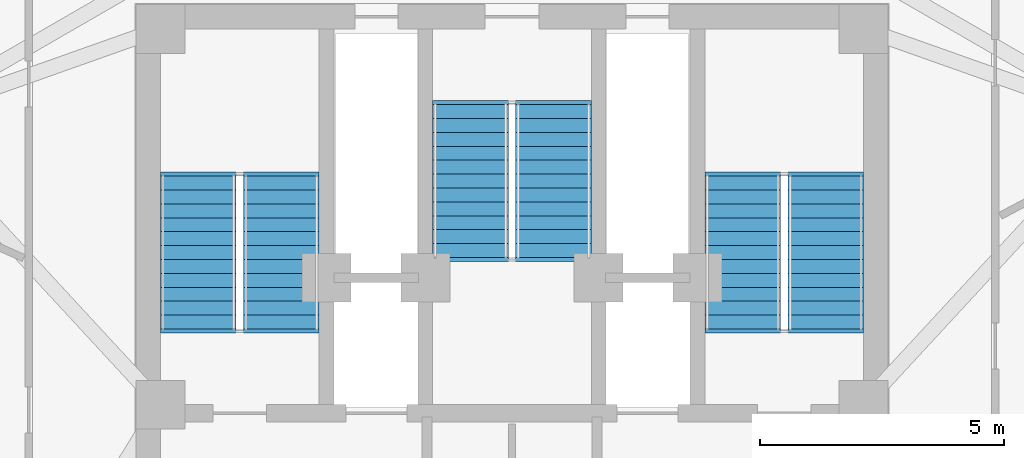
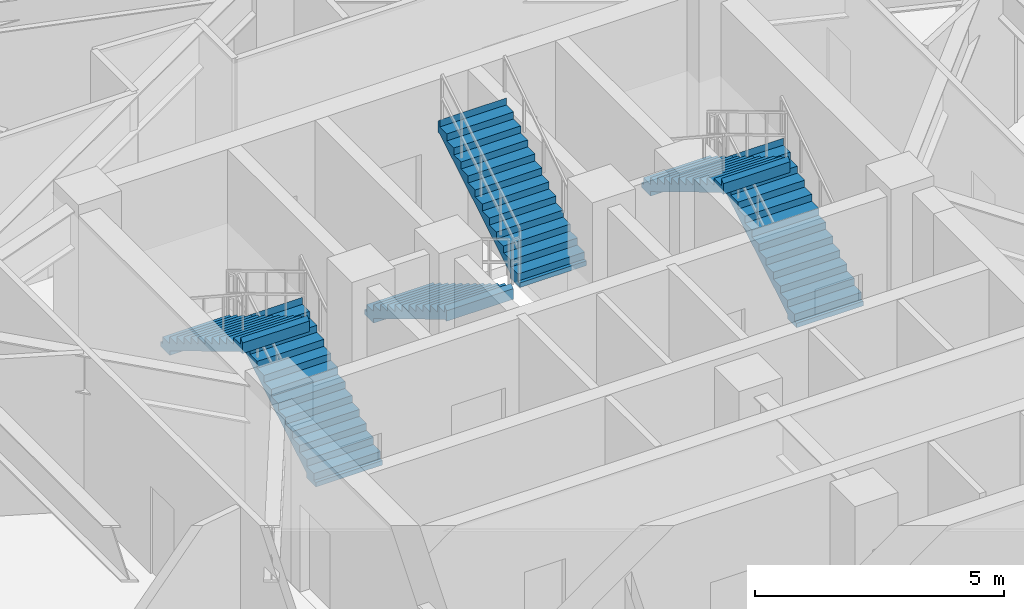
# One storey, part 8 of 11: 6 stair flights, 3 elements without a shape of their own.
"""IFC4 building model written with IfcOpenShell, lengths in metres."""

from ifc_helpers import new_model, si_unit, direction, frame, origin, place, context, subcontext, project, spatial, polyline, outline, extrude, material, type_object, element, aggregate, save


model = new_model("IFC4")

# Units and contexts
model_context = context("Model", 3, precision=1e-05, world=origin(), true_north=direction((0.0, 1.0)))
body_context = subcontext(model_context, "Body", "Model", "MODEL_VIEW")
ifc_project = project(units=[si_unit("LENGTHUNIT", "METRE"), si_unit("AREAUNIT", "SQUARE_METRE"), si_unit("VOLUMEUNIT", "CUBIC_METRE"), si_unit("PLANEANGLEUNIT", "RADIAN"), si_unit("MASSUNIT", "GRAM", prefix="KILO")], contexts=[model_context])

# Site, building, storey
site_placement = place(None, origin())
site = spatial("IfcSite", under=ifc_project, at=site_placement, CompositionType="ELEMENT")
building_placement = place(site_placement, origin())
building = spatial("IfcBuilding", under=site, at=building_placement, Name="Apsidion Concourse Tower", CompositionType="ELEMENT")
storey_placement = place(building_placement, frame((0.0, 0.0, 306.5)))
storey = spatial("IfcBuildingStorey", under=building, at=storey_placement, Name="L72", CompositionType="ELEMENT", Elevation=306.5)

# Stair, stair flights
ifc_material = material(Name="Precast concrete C40/50", Category="concrete")
stair_type = type_object("IfcStairType", Name="ST-DL-1550", PredefinedType="HALF_TURN_STAIR", material=ifc_material)
stair_1_placement = place(storey_placement, origin())
stair_1 = element("IfcStair", 1, at=stair_1_placement, inside=storey, type_object=stair_type, Name="L72 Protected Core Exit Stair ST1", PredefinedType="HALF_TURN_STAIR")
stair_flight_type = type_object("IfcStairFlightType", Name="SFL-RC-1550", PredefinedType="STRAIGHT", material=ifc_material)
stair_flight_1_placement = place(storey_placement, frame((-4.72509765625, 3.0, 0.0), z_axis=(0.0, 0.0, 1.0), x_axis=(0.0, 1.0, 0.0)))
stair_flight_1 = element("IfcStairFlight", 2, at=stair_flight_1_placement, type_object=stair_flight_type, Name="ST1 flight 1", NumberOfRisers=12, NumberOfTreads=11, PredefinedType="STRAIGHT", RiserHeight=0.170833333, TreadLength=0.285, context=body_context, shape_type="SweptSolid", body=[
    extrude(outline(polyline([(-0.080078125, -0.1123046875), (-0.080078125, 0.0), (0.0, 0.0), (0.0, 0.1708984375), (0.284912109375, 0.1708984375), (0.284912109375, 0.341552734375), (0.570068359375, 0.341552734375), (0.570068359375, 0.512451171875), (0.85498046875, 0.512451171875), (0.85498046875, 0.683349609375), (1.139892578125, 0.683349609375), (1.139892578125, 0.854248046875), (1.425048828125, 0.854248046875), (1.425048828125, 1.02490234375), (1.7099609375, 1.02490234375), (1.7099609375, 1.19580078125), (1.9951171875, 1.19580078125), (1.9951171875, 1.36669921875), (2.280029296875, 1.36669921875), (2.280029296875, 1.53759765625), (2.56494140625, 1.53759765625), (2.56494140625, 1.708251953125), (2.85009765625, 1.708251953125), (2.85009765625, 1.879150390625), (3.135009765625, 1.879150390625), (3.135009765625, 2.050048828125), (3.215087890625, 1.964599609375), (3.215087890625, 1.704345703125), (3.135009765625, 1.704345703125), (0.29150390625, 0.0), (0.29150390625, -0.1123046875), (-0.080078125, -0.1123046875)])), frame((0.0, 0.77490234375, 0.0), z_axis=(0.0, -1.0, 0.0), x_axis=(1.0, 0.0, 0.0)), (0.0, 0.0, 1.0), 1.550048828125),
])
stair_flight_2_placement = place(storey_placement, frame((-6.425048828125, 6.135009765625, 2.050048828125), z_axis=(0.0, 0.0, 1.0), x_axis=(0.0, -1.0, 0.0)))
stair_flight_2 = element("IfcStairFlight", 3, at=stair_flight_2_placement, type_object=stair_flight_type, Name="ST1 flight 2", NumberOfRisers=12, NumberOfTreads=11, PredefinedType="STRAIGHT", RiserHeight=0.170833333, TreadLength=0.285, context=body_context, shape_type="SweptSolid", body=[
    extrude(outline(polyline([(-0.080078125, -0.1123046875), (-0.080078125, 0.0), (0.0, 0.0), (0.0, 0.1708984375), (0.284912109375, 0.1708984375), (0.284912109375, 0.341552734375), (0.570068359375, 0.341552734375), (0.570068359375, 0.512451171875), (0.85498046875, 0.512451171875), (0.85498046875, 0.683349609375), (1.139892578125, 0.683349609375), (1.139892578125, 0.854248046875), (1.425048828125, 0.854248046875), (1.425048828125, 1.02490234375), (1.7099609375, 1.02490234375), (1.7099609375, 1.19580078125), (1.9951171875, 1.19580078125), (1.9951171875, 1.36669921875), (2.280029296875, 1.36669921875), (2.280029296875, 1.53759765625), (2.56494140625, 1.53759765625), (2.56494140625, 1.708251953125), (2.85009765625, 1.708251953125), (2.85009765625, 1.879150390625), (3.135009765625, 1.879150390625), (3.135009765625, 2.050048828125), (3.215087890625, 1.964599609375), (3.215087890625, 1.704345703125), (3.135009765625, 1.704345703125), (0.29150390625, 0.0), (0.29150390625, -0.1123046875), (-0.080078125, -0.1123046875)])), frame((0.0, 0.77490234375, 0.0), z_axis=(0.0, -1.0, 0.0), x_axis=(1.0, 0.0, 0.0)), (0.0, 0.0, 1.0), 1.550048828125),
])
aggregate(stair_1, [stair_flight_1, stair_flight_2])

stair_2_placement = place(storey_placement, origin())
stair_2 = element("IfcStair", 4, at=stair_2_placement, inside=storey, type_object=stair_type, Name="L72 Protected Core Exit Stair ST2", PredefinedType="HALF_TURN_STAIR")
stair_flight_3_placement = place(storey_placement, frame((6.425048828125, 3.0, 0.0), z_axis=(0.0, 0.0, 1.0), x_axis=(0.0, 1.0, 0.0)))
stair_flight_3 = element("IfcStairFlight", 5, at=stair_flight_3_placement, type_object=stair_flight_type, Name="ST2 flight 1", NumberOfRisers=12, NumberOfTreads=11, PredefinedType="STRAIGHT", RiserHeight=0.170833333, TreadLength=0.285, context=body_context, shape_type="SweptSolid", body=[
    extrude(outline(polyline([(-0.080078125, -0.1123046875), (-0.080078125, 0.0), (0.0, 0.0), (0.0, 0.1708984375), (0.284912109375, 0.1708984375), (0.284912109375, 0.341552734375), (0.570068359375, 0.341552734375), (0.570068359375, 0.512451171875), (0.85498046875, 0.512451171875), (0.85498046875, 0.683349609375), (1.139892578125, 0.683349609375), (1.139892578125, 0.854248046875), (1.425048828125, 0.854248046875), (1.425048828125, 1.02490234375), (1.7099609375, 1.02490234375), (1.7099609375, 1.19580078125), (1.9951171875, 1.19580078125), (1.9951171875, 1.36669921875), (2.280029296875, 1.36669921875), (2.280029296875, 1.53759765625), (2.56494140625, 1.53759765625), (2.56494140625, 1.708251953125), (2.85009765625, 1.708251953125), (2.85009765625, 1.879150390625), (3.135009765625, 1.879150390625), (3.135009765625, 2.050048828125), (3.215087890625, 1.964599609375), (3.215087890625, 1.704345703125), (3.135009765625, 1.704345703125), (0.29150390625, 0.0), (0.29150390625, -0.1123046875), (-0.080078125, -0.1123046875)])), frame((0.0, 0.77490234375, 0.0), z_axis=(0.0, -1.0, 0.0), x_axis=(1.0, 0.0, 0.0)), (0.0, 0.0, 1.0), 1.550048828125),
])
stair_flight_4_placement = place(storey_placement, frame((4.72509765625, 6.135009765625, 2.050048828125), z_axis=(0.0, 0.0, 1.0), x_axis=(0.0, -1.0, 0.0)))
stair_flight_4 = element("IfcStairFlight", 6, at=stair_flight_4_placement, type_object=stair_flight_type, Name="ST2 flight 2", NumberOfRisers=12, NumberOfTreads=11, PredefinedType="STRAIGHT", RiserHeight=0.170833333, TreadLength=0.285, context=body_context, shape_type="SweptSolid", body=[
    extrude(outline(polyline([(-0.080078125, -0.1123046875), (-0.080078125, 0.0), (0.0, 0.0), (0.0, 0.1708984375), (0.284912109375, 0.1708984375), (0.284912109375, 0.341552734375), (0.570068359375, 0.341552734375), (0.570068359375, 0.512451171875), (0.85498046875, 0.512451171875), (0.85498046875, 0.683349609375), (1.139892578125, 0.683349609375), (1.139892578125, 0.854248046875), (1.425048828125, 0.854248046875), (1.425048828125, 1.02490234375), (1.7099609375, 1.02490234375), (1.7099609375, 1.19580078125), (1.9951171875, 1.19580078125), (1.9951171875, 1.36669921875), (2.280029296875, 1.36669921875), (2.280029296875, 1.53759765625), (2.56494140625, 1.53759765625), (2.56494140625, 1.708251953125), (2.85009765625, 1.708251953125), (2.85009765625, 1.879150390625), (3.135009765625, 1.879150390625), (3.135009765625, 2.050048828125), (3.215087890625, 1.964599609375), (3.215087890625, 1.704345703125), (3.135009765625, 1.704345703125), (0.29150390625, 0.0), (0.29150390625, -0.1123046875), (-0.080078125, -0.1123046875)])), frame((0.0, 0.77490234375, 0.0), z_axis=(0.0, -1.0, 0.0), x_axis=(1.0, 0.0, 0.0)), (0.0, 0.0, 1.0), 1.550048828125),
])
aggregate(stair_2, [stair_flight_3, stair_flight_4])

stair_3_placement = place(storey_placement, origin())
stair_3 = element("IfcStair", 7, at=stair_3_placement, inside=storey, type_object=stair_type, Name="L72 Protected Core Exit Stair ST3", PredefinedType="HALF_TURN_STAIR")
stair_flight_5_placement = place(storey_placement, frame((-0.85009765625, 7.60009765625, 0.0), z_axis=(0.0, 0.0, 1.0), x_axis=(0.0, -1.0, 0.0)))
stair_flight_5 = element("IfcStairFlight", 8, at=stair_flight_5_placement, type_object=stair_flight_type, Name="ST3 flight 1", NumberOfRisers=12, NumberOfTreads=11, PredefinedType="STRAIGHT", RiserHeight=0.170833333, TreadLength=0.285, context=body_context, shape_type="SweptSolid", body=[
    extrude(outline(polyline([(-0.080078125, -0.1123046875), (-0.080078125, 0.0), (0.0, 0.0), (0.0, 0.1708984375), (0.284912109375, 0.1708984375), (0.284912109375, 0.341552734375), (0.570068359375, 0.341552734375), (0.570068359375, 0.512451171875), (0.85498046875, 0.512451171875), (0.85498046875, 0.683349609375), (1.139892578125, 0.683349609375), (1.139892578125, 0.854248046875), (1.425048828125, 0.854248046875), (1.425048828125, 1.02490234375), (1.7099609375, 1.02490234375), (1.7099609375, 1.19580078125), (1.9951171875, 1.19580078125), (1.9951171875, 1.36669921875), (2.280029296875, 1.36669921875), (2.280029296875, 1.53759765625), (2.56494140625, 1.53759765625), (2.56494140625, 1.708251953125), (2.85009765625, 1.708251953125), (2.85009765625, 1.879150390625), (3.135009765625, 1.879150390625), (3.135009765625, 2.050048828125), (3.215087890625, 1.964599609375), (3.215087890625, 1.704345703125), (3.135009765625, 1.704345703125), (0.29150390625, 0.0), (0.29150390625, -0.1123046875), (-0.080078125, -0.1123046875)])), frame((0.0, 0.77490234375, 0.0), z_axis=(0.0, -1.0, 0.0), x_axis=(1.0, 0.0, 0.0)), (0.0, 0.0, 1.0), 1.550048828125),
])
stair_flight_6_placement = place(storey_placement, frame((0.85009765625, 4.465087890625, 2.050048828125), z_axis=(0.0, 0.0, 1.0), x_axis=(0.0, 1.0, 0.0)))
stair_flight_6 = element("IfcStairFlight", 9, at=stair_flight_6_placement, type_object=stair_flight_type, Name="ST3 flight 2", NumberOfRisers=12, NumberOfTreads=11, PredefinedType="STRAIGHT", RiserHeight=0.170833333, TreadLength=0.285, context=body_context, shape_type="SweptSolid", body=[
    extrude(outline(polyline([(-0.080078125, -0.1123046875), (-0.080078125, 0.0), (0.0, 0.0), (0.0, 0.1708984375), (0.284912109375, 0.1708984375), (0.284912109375, 0.341552734375), (0.570068359375, 0.341552734375), (0.570068359375, 0.512451171875), (0.85498046875, 0.512451171875), (0.85498046875, 0.683349609375), (1.139892578125, 0.683349609375), (1.139892578125, 0.854248046875), (1.425048828125, 0.854248046875), (1.425048828125, 1.02490234375), (1.7099609375, 1.02490234375), (1.7099609375, 1.19580078125), (1.9951171875, 1.19580078125), (1.9951171875, 1.36669921875), (2.280029296875, 1.36669921875), (2.280029296875, 1.53759765625), (2.56494140625, 1.53759765625), (2.56494140625, 1.708251953125), (2.85009765625, 1.708251953125), (2.85009765625, 1.879150390625), (3.135009765625, 1.879150390625), (3.135009765625, 2.050048828125), (3.215087890625, 1.964599609375), (3.215087890625, 1.704345703125), (3.135009765625, 1.704345703125), (0.29150390625, 0.0), (0.29150390625, -0.1123046875), (-0.080078125, -0.1123046875)])), frame((0.0, 0.77490234375, 0.0), z_axis=(0.0, -1.0, 0.0), x_axis=(1.0, 0.0, 0.0)), (0.0, 0.0, 1.0), 1.550048828125),
])
aggregate(stair_3, [stair_flight_5, stair_flight_6])

save(model, "model.ifc")
